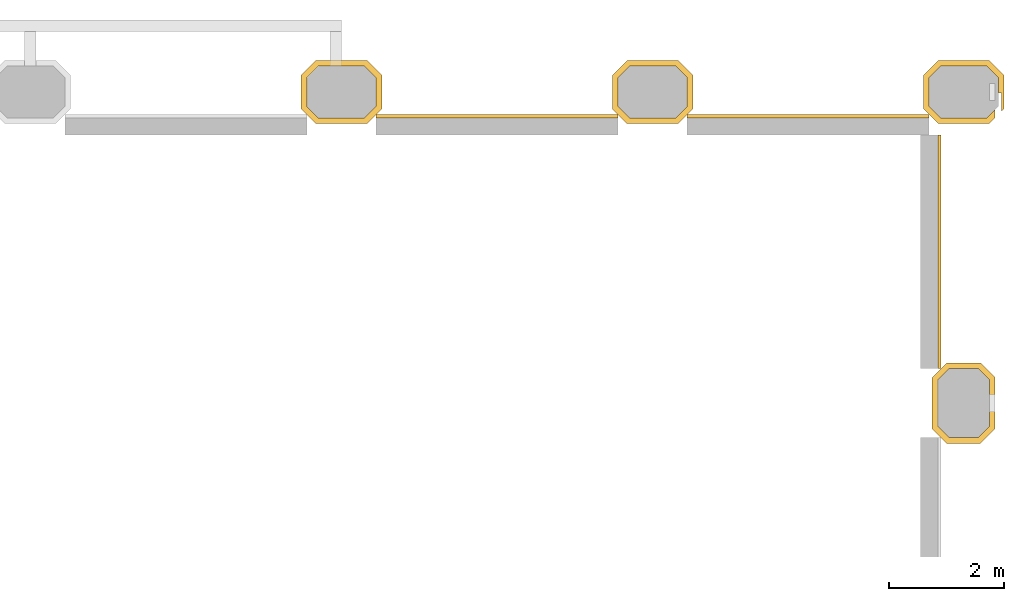
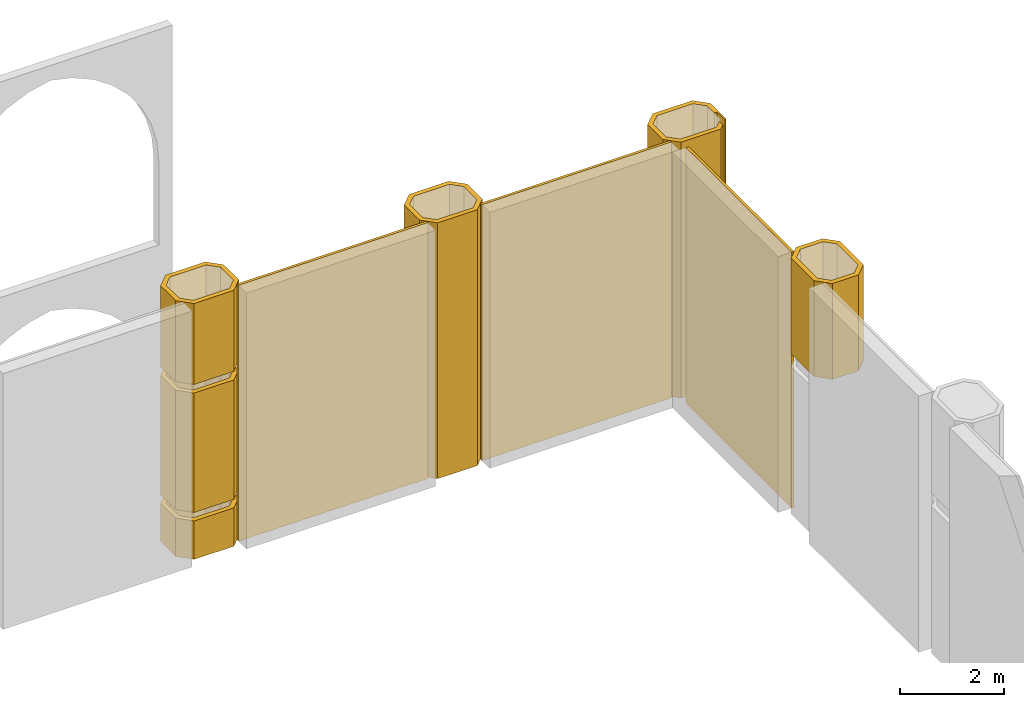
# One storey, part 34 of 34: 9 coverings.
"""IFC4 building model written with IfcOpenShell, lengths in metres."""

import ifcopenshell
import ifcopenshell.guid

model = None  # the IFC model being written
_history = None  # IfcOwnerHistory: only IFC2X3 demands one
_inside = {}  # id of a spatial element -> (the spatial element, [elements in it])
_under = {}  # id of a project, library or spatial element -> (it, [spatial elements below it])
_declared = {}  # id of a project -> (the project, [libraries it declares])
_typed = {}  # id of a type object -> (the type object, [elements of that type])
_made_of = {}  # id of a material, layer set ... -> (it, [elements and type objects made of it])


def new_model(schema):
    """Start an empty IFC model of exactly this schema.

    Asked for "IFC4X3", IfcOpenShell would pick the latest addendum, in which some entities
    have other attributes; the version numbers below select the first issue.
    IFC2X3 requires an IfcOwnerHistory on every rooted entity: one is made here for all.
    """
    global model, _history
    if schema == "IFC4X3":
        model = ifcopenshell.file(schema_version=(4, 3, 0, 0))
    else:
        model = ifcopenshell.file(schema=schema)
    _inside.clear()
    _under.clear()
    _declared.clear()
    _typed.clear()
    _made_of.clear()
    _history = None
    if model.schema == "IFC2X3":
        org = make("IfcOrganization", Name="unknown")
        user = make(
            "IfcPersonAndOrganization",
            ThePerson=make("IfcPerson", FamilyName="unknown"),
            TheOrganization=org,
        )
        app = make(
            "IfcApplication",
            ApplicationDeveloper=org,
            Version="unknown",
            ApplicationFullName="unknown",
            ApplicationIdentifier="unknown",
        )
        _history = make(
            "IfcOwnerHistory",
            OwningUser=user,
            OwningApplication=app,
            ChangeAction="ADDED",
            CreationDate=0,
        )
    return model


def make(cls, **values):
    """One entity of the class cls with the attributes given. An attribute that is None is left unset."""
    return model.create_entity(
        cls, **{name: value for name, value in values.items() if value is not None}
    )


def rooted(cls, **values):
    """An entity with a GlobalId (a new one), such as an element, a storey or a relation."""
    return make(cls, GlobalId=ifcopenshell.guid.new(), OwnerHistory=_history, **values)


def si_unit(unit_type, name, prefix=None):
    """IfcSIUnit, for example si_unit("LENGTHUNIT", "METRE", prefix="MILLI")."""
    return make("IfcSIUnit", UnitType=unit_type, Prefix=prefix, Name=name)


def assignment(units):
    """IfcUnitAssignment: the units of a project."""
    return None if units is None else make("IfcUnitAssignment", Units=units)


def point(xyz):
    """IfcCartesianPoint."""
    return None if xyz is None else make("IfcCartesianPoint", Coordinates=xyz)


def direction(xyz):
    """IfcDirection."""
    return None if xyz is None else make("IfcDirection", DirectionRatios=xyz)


def frame(location, z_axis=None, x_axis=None):
    """IfcAxis2Placement3D, a coordinate frame: its origin and axes. An axis left out is left unset."""
    return make(
        "IfcAxis2Placement3D",
        Location=point(location),
        Axis=direction(z_axis),
        RefDirection=direction(x_axis),
    )


def frame_2d(location, x_axis=None):
    """IfcAxis2Placement2D, a coordinate frame in the plane: its origin and x axis."""
    return make(
        "IfcAxis2Placement2D", Location=point(location), RefDirection=direction(x_axis)
    )


def origin():
    """The frame at (0, 0, 0) with its axes left unset."""
    return frame((0.0, 0.0, 0.0))


def place(relative_to, where):
    """IfcLocalPlacement: puts the frame where relative to a parent placement (None: the world)."""
    return make(
        "IfcLocalPlacement", PlacementRelTo=relative_to, RelativePlacement=where
    )


def context(
    kind, dimensions, precision=None, world=None, true_north=None, identifier=None
):
    """IfcGeometricRepresentationContext, for example the 3D "Model" context."""
    return make(
        "IfcGeometricRepresentationContext",
        ContextIdentifier=identifier,
        ContextType=kind,
        CoordinateSpaceDimension=dimensions,
        Precision=precision,
        WorldCoordinateSystem=world,
        TrueNorth=true_north,
    )


def subcontext(parent, identifier, kind, view, scale=None):
    """IfcGeometricRepresentationSubContext, for example "Body" below "Model"."""
    return make(
        "IfcGeometricRepresentationSubContext",
        ContextIdentifier=identifier,
        ContextType=kind,
        ParentContext=parent,
        TargetScale=scale,
        TargetView=view,
    )


def project(units=None, contexts=None):
    """IfcProject with its units and contexts."""
    return rooted(
        "IfcProject",
        Name="project",
        RepresentationContexts=contexts,
        UnitsInContext=assignment(units),
    )


def spatial(cls, under=None, at=None, **own):
    """A site, building, storey or space (cls), placed at a placement, below another one or the project."""
    s = rooted(cls, ObjectPlacement=at, **own)
    if under is not None:
        _under.setdefault(under.id(), (under, []))[1].append(s)
    return s


def polyline(points):
    """IfcPolyline through the points."""
    return make("IfcPolyline", Points=[point(p) for p in points])


def profile(cls, at=None, kind="AREA", **sizes):
    """A parametric profile (cls). Its sizes go by their IFC names, for example OverallWidth=200.0."""
    return make(cls, ProfileType=kind, Position=at, **sizes)


def rectangle(**sizes):
    """IfcRectangleProfileDef."""
    return profile("IfcRectangleProfileDef", **sizes)


def outline(outer, holes=None, kind="AREA"):
    """IfcArbitraryClosedProfileDef: a profile drawn as a closed curve; with holes, ...WithVoids."""
    if holes is None:
        return make("IfcArbitraryClosedProfileDef", ProfileType=kind, OuterCurve=outer)
    return make(
        "IfcArbitraryProfileDefWithVoids",
        ProfileType=kind,
        OuterCurve=outer,
        InnerCurves=holes,
    )


def extrude(swept, where, along, depth):
    """IfcExtrudedAreaSolid: the profile swept, set in the frame where, extruded along a direction by depth."""
    return make(
        "IfcExtrudedAreaSolid",
        SweptArea=swept,
        Position=where,
        ExtrudedDirection=direction(along),
        Depth=depth,
    )


def shape(context_of_items, identifier, shape_type, items):
    """IfcShapeRepresentation: the items that make up one representation, for example the "Body"."""
    return make(
        "IfcShapeRepresentation",
        ContextOfItems=context_of_items,
        RepresentationIdentifier=identifier,
        RepresentationType=shape_type,
        Items=items,
    )


def material(Name=None, Category=None):
    """IfcMaterial."""
    return make("IfcMaterial", Name=Name, Category=Category)


def layer(
    of_material, thickness, ventilated=None, Name=None, Category=None, Priority=None
):
    """IfcMaterialLayer: one layer of a wall or slab, of a material (None: an air gap)."""
    return make(
        "IfcMaterialLayer",
        Material=of_material,
        LayerThickness=thickness,
        IsVentilated=ventilated,
        Name=Name,
        Category=Category,
        Priority=Priority,
    )


def layer_set(layers, Name=None):
    """IfcMaterialLayerSet."""
    return make("IfcMaterialLayerSet", MaterialLayers=layers, LayerSetName=Name)


def made_of(thing, what):
    """Note that an element or type object is made of a material, layer set ...; save() writes the relation."""
    if what is not None:
        _made_of.setdefault(what.id(), (what, []))[1].append(thing)
    return thing


def type_object(cls, material=None, **own):
    """A type object (cls), such as IfcWallType, which elements share."""
    return made_of(rooted(cls, **own), material)


def element(
    cls,
    number,
    at=None,
    inside=None,
    cuts=None,
    type_object=None,
    material=None,
    context=None,
    identifier="Body",
    shape_type=None,
    held_by="IfcProductDefinitionShape",
    body=None,
    shapes=None,
    **own,
):
    """One element of the class cls, such as IfcWall. Its Tag is "e" and its number.

    at: its placement. inside: the storey or other place that contains it. cuts: it is an
    opening in that element (IfcRelVoidsElement). A single representation is given by context,
    identifier, shape_type and body (its items); several are given by shapes. held_by: the class
    of the entity that holds the representations. save() writes the other relations.
    """
    e = rooted(cls, Tag="e%d" % number, ObjectPlacement=at, **own)
    if body is not None:
        shapes = [shape(context, identifier, shape_type, body)]
    if shapes is not None:
        e.Representation = make(held_by, Representations=shapes)
    if inside is not None:
        _inside.setdefault(inside.id(), (inside, []))[1].append(e)
    if cuts is not None:
        rooted(
            "IfcRelVoidsElement", RelatingBuildingElement=cuts, RelatedOpeningElement=e
        )
    if type_object is not None:
        _typed.setdefault(type_object.id(), (type_object, []))[1].append(e)
    return made_of(e, material)


def aggregate(whole, parts):
    """IfcRelAggregates: a whole, such as a stair, and the parts it consists of."""
    return rooted("IfcRelAggregates", RelatingObject=whole, RelatedObjects=parts)


def save(model, path):
    """Write the relations noted so far, then the file.

    IfcRelAggregates (storeys below a building ...), IfcRelContainedInSpatialStructure (elements
    in a storey), IfcRelDefinesByType, IfcRelAssociatesMaterial and IfcRelDeclares: one each for
    every whole, place, type object, material and project.
    """
    for whole, parts in _under.values():
        aggregate(whole, parts)
    for where, things in _inside.values():
        rooted(
            "IfcRelContainedInSpatialStructure",
            RelatedElements=things,
            RelatingStructure=where,
        )
    for kind, things in _typed.values():
        rooted("IfcRelDefinesByType", RelatedObjects=things, RelatingType=kind)
    for what, things in _made_of.values():
        rooted("IfcRelAssociatesMaterial", RelatedObjects=things, RelatingMaterial=what)
    for by, libraries in _declared.values():
        rooted("IfcRelDeclares", RelatingContext=by, RelatedDefinitions=libraries)
    model.write(path)


model = new_model("IFC4")

# Units and contexts
model_context = context("Model", 3, precision=1e-05, world=origin(), true_north=direction((0.0, 1.0)))
body_context = subcontext(model_context, "Body", "Model", "MODEL_VIEW")
ifc_project = project(units=[si_unit("LENGTHUNIT", "METRE"), si_unit("AREAUNIT", "SQUARE_METRE"), si_unit("VOLUMEUNIT", "CUBIC_METRE"), si_unit("PLANEANGLEUNIT", "RADIAN"), si_unit("MASSUNIT", "GRAM", prefix="KILO")], contexts=[model_context])

# Site, building, storey
site_placement = place(None, origin())
site = spatial("IfcSite", under=ifc_project, at=site_placement, CompositionType="ELEMENT")
building_placement = place(site_placement, origin())
building = spatial("IfcBuilding", under=site, at=building_placement, Name="Tabaq Tower and Sports Hall", CompositionType="ELEMENT")
storey_placement = place(building_placement, frame((0.0, 0.0, 8.39990234375)))
storey = spatial("IfcBuildingStorey", under=building, at=storey_placement, Name="L01", CompositionType="ELEMENT", Elevation=8.39990234375)

# Coverings
ifc_material_1 = material(Name="Precast concrete C60/75", Category="concrete")
ifc_layer_1 = layer(ifc_material_1, 0.10009765625)
ifc_layer_set_1 = layer_set([ifc_layer_1], Name="Column cladding 100")
covering_type_1 = type_object("IfcCoveringType", Name="Column cladding 100", PredefinedType="CLADDING", material=ifc_layer_set_1)
covering_1_placement = place(storey_placement, origin())
element("IfcCovering", 1, at=covering_1_placement, inside=storey, type_object=covering_type_1, Name="Column cladding L01 HC-22I", PredefinedType="CLADDING", context=body_context, shape_type="SweptSolid", body=[
    extrude(outline(polyline([(112.7001953125, 42.90869140625), (112.7001953125, 43.4912109375), (112.958740234375, 43.749755859375), (113.84130859375, 43.749755859375), (114.099609375, 43.4912109375), (114.099609375, 42.90869140625), (113.84130859375, 42.650390625), (112.958740234375, 42.650390625), (112.7001953125, 42.90869140625)]), holes=[polyline([(113.800048828125, 42.749755859375), (114.000244140625, 42.949951171875), (114.000244140625, 43.4501953125), (113.800048828125, 43.650390625), (112.999755859375, 43.650390625), (112.7998046875, 43.4501953125), (112.7998046875, 42.949951171875), (112.999755859375, 42.749755859375), (113.800048828125, 42.749755859375)])]), origin(), (0.0, 0.0, 1.0), 0.900146484375),
])
covering_2_placement = place(storey_placement, frame((0.0, 0.0, 1.10009765625)))
element("IfcCovering", 2, at=covering_2_placement, inside=storey, type_object=covering_type_1, Name="Column cladding L01 HC-22I 2", PredefinedType="CLADDING", context=body_context, shape_type="SweptSolid", body=[
    extrude(outline(polyline([(112.7001953125, 42.90869140625), (112.7001953125, 43.4912109375), (112.958740234375, 43.749755859375), (113.84130859375, 43.749755859375), (114.099609375, 43.4912109375), (114.099609375, 42.90869140625), (113.84130859375, 42.650390625), (112.958740234375, 42.650390625), (112.7001953125, 42.90869140625)]), holes=[polyline([(113.800048828125, 42.749755859375), (114.000244140625, 42.949951171875), (114.000244140625, 43.4501953125), (113.800048828125, 43.650390625), (112.999755859375, 43.650390625), (112.7998046875, 43.4501953125), (112.7998046875, 42.949951171875), (112.999755859375, 42.749755859375), (113.800048828125, 42.749755859375)])]), origin(), (0.0, 0.0, 1.0), 2.800048828125),
])
covering_3_placement = place(storey_placement, frame((0.0, 0.0, 4.10009765625)))
element("IfcCovering", 3, at=covering_3_placement, inside=storey, type_object=covering_type_1, Name="Column cladding L01 HC-22I 3", PredefinedType="CLADDING", context=body_context, shape_type="SweptSolid", body=[
    extrude(outline(polyline([(112.7001953125, 42.90869140625), (112.7001953125, 43.4912109375), (112.958740234375, 43.749755859375), (113.84130859375, 43.749755859375), (114.099609375, 43.4912109375), (114.099609375, 42.90869140625), (113.84130859375, 42.650390625), (112.958740234375, 42.650390625), (112.7001953125, 42.90869140625)]), holes=[polyline([(113.800048828125, 42.749755859375), (114.000244140625, 42.949951171875), (114.000244140625, 43.4501953125), (113.800048828125, 43.650390625), (112.999755859375, 43.650390625), (112.7998046875, 43.4501953125), (112.7998046875, 42.949951171875), (112.999755859375, 42.749755859375), (113.800048828125, 42.749755859375)])]), origin(), (0.0, 0.0, 1.0), 1.89990234375),
])
covering_4_placement = place(storey_placement, origin())
element("IfcCovering", 4, at=covering_4_placement, inside=storey, type_object=covering_type_1, Name="Column cladding L01 HC-23I", PredefinedType="CLADDING", context=body_context, shape_type="SweptSolid", body=[
    extrude(outline(polyline([(118.100341796875, 42.90869140625), (118.100341796875, 43.4912109375), (118.358642578125, 43.749755859375), (119.2412109375, 43.749755859375), (119.499755859375, 43.4912109375), (119.499755859375, 42.90869140625), (119.2412109375, 42.650390625), (118.358642578125, 42.650390625), (118.100341796875, 42.90869140625)]), holes=[polyline([(119.2001953125, 42.749755859375), (119.400390625, 42.949951171875), (119.400390625, 43.4501953125), (119.2001953125, 43.650390625), (118.39990234375, 43.650390625), (118.19970703125, 43.4501953125), (118.19970703125, 42.949951171875), (118.39990234375, 42.749755859375), (119.2001953125, 42.749755859375)])]), origin(), (0.0, 0.0, 1.0), 6.0),
])
covering_5_placement = place(storey_placement, frame((0.0, 0.0, 3.75)))
element("IfcCovering", 5, at=covering_5_placement, inside=storey, type_object=covering_type_1, Name="Column cladding L01 HC-24H 2", PredefinedType="CLADDING", context=body_context, shape_type="SweptSolid", body=[
    extrude(outline(polyline([(123.90869140625, 37.100341796875), (123.650390625, 37.358642578125), (123.650390625, 38.2412109375), (123.90869140625, 38.499755859375), (124.4912109375, 38.499755859375), (124.73974609375, 38.251220703125), (124.73974609375, 37.3486328125), (124.4912109375, 37.100341796875), (123.90869140625, 37.100341796875)]), holes=[polyline([(124.4501953125, 38.400390625), (123.949951171875, 38.400390625), (123.749755859375, 38.2001953125), (123.749755859375, 37.39990234375), (123.949951171875, 37.19970703125), (124.4501953125, 37.19970703125), (124.650390625, 37.39990234375), (124.650390625, 38.2001953125), (124.4501953125, 38.400390625)])]), origin(), (0.0, 0.0, 1.0), 2.25),
])
covering_6_placement = place(storey_placement, origin())
element("IfcCovering", 6, at=covering_6_placement, inside=storey, type_object=covering_type_1, Name="Column cladding L01 HC-24I", PredefinedType="CLADDING", context=body_context, shape_type="SweptSolid", body=[
    extrude(outline(polyline([(123.500244140625, 43.4912109375), (123.7587890625, 43.749755859375), (124.641357421875, 43.749755859375), (124.899658203125, 43.4912109375), (124.899658203125, 42.90869140625), (124.8603515625, 42.869384765625), (124.8603515625, 43.180419921875), (124.80029296875, 43.180419921875), (124.80029296875, 43.4501953125), (124.60009765625, 43.650390625), (123.7998046875, 43.650390625), (123.599609375, 43.4501953125), (123.599609375, 42.949951171875), (123.7998046875, 42.749755859375), (124.60009765625, 42.749755859375), (124.73974609375, 42.88916015625), (124.73974609375, 42.748779296875), (124.641357421875, 42.650390625), (123.7587890625, 42.650390625), (123.500244140625, 42.90869140625), (123.500244140625, 43.4912109375)])), origin(), (0.0, 0.0, 1.0), 6.0),
])
ifc_material_2 = material(Name="Precast concrete C60/75", Category="concrete")
ifc_layer_2 = layer(ifc_material_2, 0.06005859375)
ifc_layer_set_2 = layer_set([ifc_layer_2], Name="White precast cladding panel 60 C60/75")
covering_type_2 = type_object("IfcCoveringType", Name="White precast cladding panel 60 C60/75", PredefinedType="CLADDING", material=ifc_layer_set_2)
covering_7_placement = place(storey_placement, frame((123.780029296875, 38.39990234375, 0.0), z_axis=(0.0, 0.0, 1.0), x_axis=(0.0, 1.0, 0.0)))
element("IfcCovering", 7, at=covering_7_placement, inside=storey, type_object=covering_type_2, Name="White precast cladding panel L01 L01", PredefinedType="CLADDING", context=body_context, shape_type="SweptSolid", body=[
    extrude(rectangle(XDim=4.050048828125, YDim=0.06005859375, at=frame_2d((2.02490234375, 0.0))), origin(), (0.0, 0.0, 1.0), 6.0),
])
covering_8_placement = place(storey_placement, frame((114.0, 42.780029296875, 0.0), z_axis=(0.0, 0.0, 1.0), x_axis=(1.0, 0.0, 0.0)))
element("IfcCovering", 8, at=covering_8_placement, inside=storey, type_object=covering_type_2, Name="White precast cladding panel L01 L01", PredefinedType="CLADDING", context=body_context, shape_type="SweptSolid", body=[
    extrude(rectangle(XDim=4.199951171875, YDim=0.06005859375, at=frame_2d((2.10009765625, 0.0))), origin(), (0.0, 0.0, 1.0), 6.0),
])
covering_9_placement = place(storey_placement, frame((119.39990234375, 42.780029296875, 0.0), z_axis=(0.0, 0.0, 1.0), x_axis=(1.0, 0.0, 0.0)))
element("IfcCovering", 9, at=covering_9_placement, inside=storey, type_object=covering_type_2, Name="White precast cladding panel L01 L01", PredefinedType="CLADDING", context=body_context, shape_type="SweptSolid", body=[
    extrude(rectangle(XDim=4.2001953125, YDim=0.06005859375, at=frame_2d((2.10009765625, 0.0))), origin(), (0.0, 0.0, 1.0), 6.0),
])

save(model, "model.ifc")
